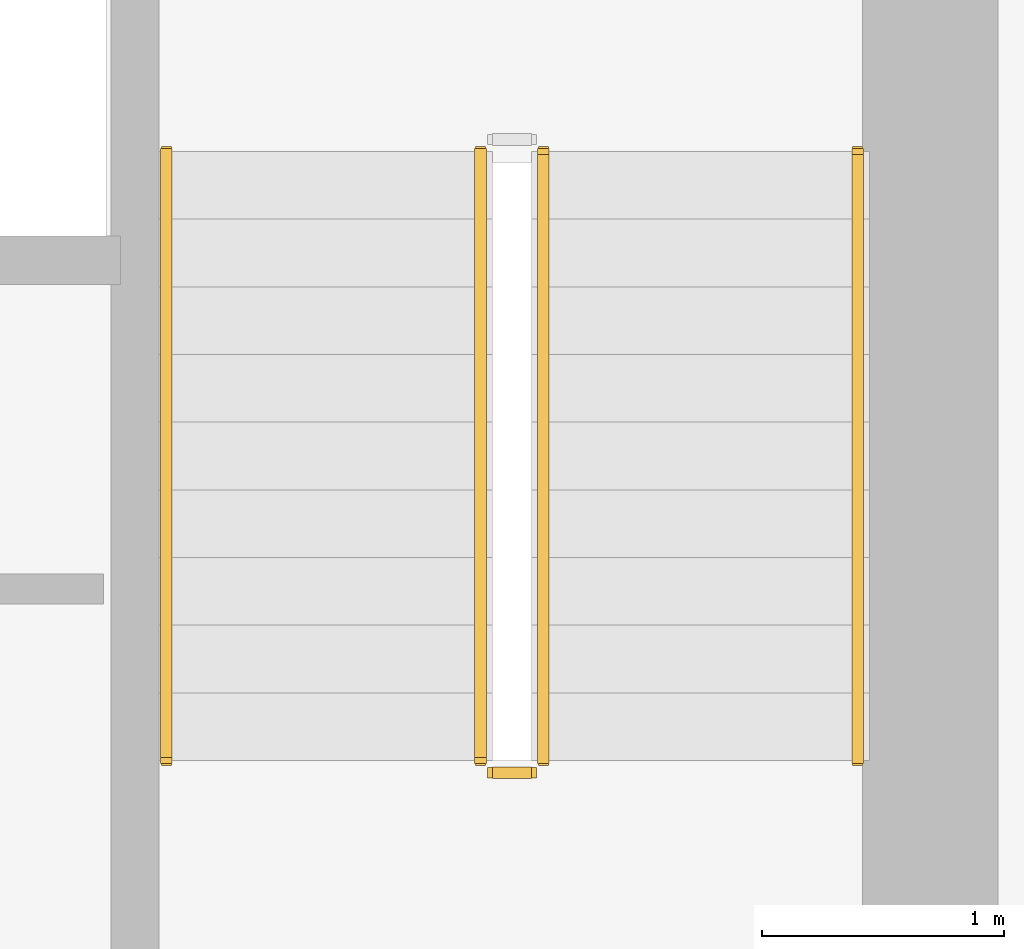
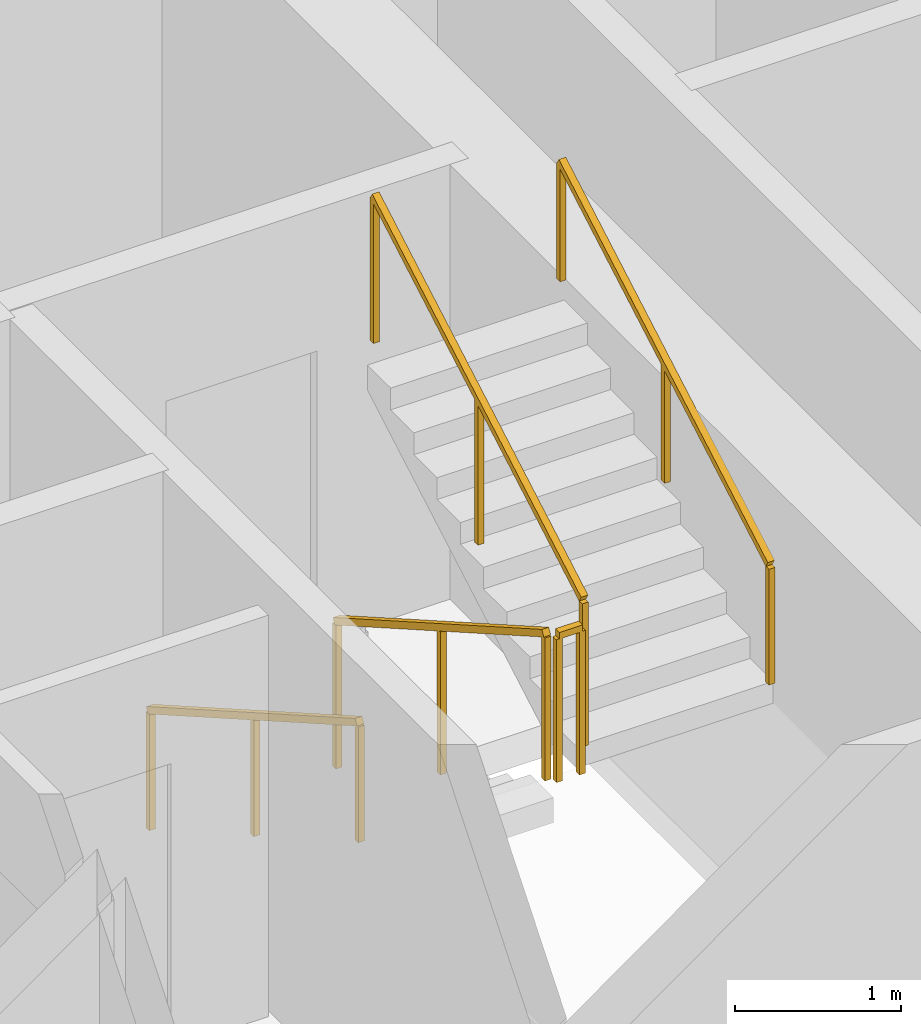
# One storey, part 11 of 13: 5 railings.
"""IFC4 building model written with IfcOpenShell, lengths in metres."""

from ifc_helpers import new_model, si_unit, direction, frame, origin, origin_2d, place, context, subcontext, project, spatial, rectangle, extrude, material, type_object, element, save


model = new_model("IFC4")

# Units and contexts
model_context = context("Model", 3, precision=1e-05, world=origin(), true_north=direction((0.0, 1.0)))
body_context = subcontext(model_context, "Body", "Model", "MODEL_VIEW")
ifc_project = project(units=[si_unit("LENGTHUNIT", "METRE"), si_unit("AREAUNIT", "SQUARE_METRE"), si_unit("VOLUMEUNIT", "CUBIC_METRE"), si_unit("PLANEANGLEUNIT", "RADIAN"), si_unit("MASSUNIT", "GRAM", prefix="KILO")], contexts=[model_context])

# Site, building, storey
site_placement = place(None, origin())
site = spatial("IfcSite", under=ifc_project, at=site_placement, CompositionType="ELEMENT")
building_placement = place(site_placement, origin())
building = spatial("IfcBuilding", under=site, at=building_placement, Name="Veldorim Arch Residences", CompositionType="ELEMENT")
storey_placement = place(building_placement, frame((0.0, 0.0, 120.159912109375)))
storey = spatial("IfcBuildingStorey", under=building, at=storey_placement, Name="L35", CompositionType="ELEMENT", Elevation=120.159912109375)

# Railings
ifc_material_1 = material(Name="Steel S355", Category="steel")
railing_type_1 = type_object("IfcRailingType", Name="Galvanised Steel Stair Safety Guardrail 1100", PredefinedType="GUARDRAIL", material=ifc_material_1)
railing_1_placement = place(storey_placement, frame((35.639892578125, 25.85009765625, 0.16015625)))
element("IfcRailing", 1, at=railing_1_placement, inside=storey, type_object=railing_type_1, Name="L35 ST-2 stair guard 1", PredefinedType="GUARDRAIL", context=body_context, shape_type="SweptSolid", body=[
    extrude(rectangle(XDim=0.048095703125, YDim=0.048095703125, at=origin_2d()), frame((0.0, 0.0, 1.076171875), z_axis=(0.0, -0.868253494771, 0.496120820787), x_axis=(1.0, 0.0, 0.0)), (0.0, 0.0, 1.0), 2.90234375),
    extrude(rectangle(XDim=0.0419921875, YDim=0.0419921875, at=origin_2d()), origin(), (0.0, 0.0, 1.0), 1.052001953125),
    extrude(rectangle(XDim=0.0419921875, YDim=0.0419921875, at=origin_2d()), frame((0.0, -1.260009765625, 0.719970703125)), (0.0, 0.0, 1.0), 1.052001953125),
    extrude(rectangle(XDim=0.0419921875, YDim=0.0419921875, at=origin_2d()), frame((0.0, -2.52001953125, 1.43994140625)), (0.0, 0.0, 1.0), 1.052001953125),
])
railing_2_placement = place(storey_placement, frame((35.68994140625, 23.280029296875, 1.60009765625)))
element("IfcRailing", 2, at=railing_2_placement, inside=storey, type_object=railing_type_1, Name="L35 ST-2 stair guard 2", PredefinedType="GUARDRAIL", context=body_context, shape_type="SweptSolid", body=[
    extrude(rectangle(XDim=0.048095703125, YDim=0.048095703125, at=origin_2d()), frame((0.0, 0.0, 1.076171875), z_axis=(1.0, 0.0, 0.0), x_axis=(0.0, 1.0, 0.0)), (0.0, 0.0, 1.0), 0.16015625),
    extrude(rectangle(XDim=0.0419921875, YDim=0.0419921875, at=origin_2d()), origin(), (0.0, 0.0, 1.0), 1.052001953125),
    extrude(rectangle(XDim=0.0419921875, YDim=0.0419921875, at=origin_2d()), frame((0.16015625, 0.0, 0.0)), (0.0, 0.0, 1.0), 1.052001953125),
])
railing_3_placement = place(storey_placement, frame((35.89990234375, 23.330078125, 1.760009765625)))
element("IfcRailing", 3, at=railing_3_placement, inside=storey, type_object=railing_type_1, Name="L35 ST-2 stair guard 3", PredefinedType="GUARDRAIL", context=body_context, shape_type="SweptSolid", body=[
    extrude(rectangle(XDim=0.048095703125, YDim=0.048095703125, at=origin_2d()), frame((0.0, 0.0, 1.076171875), z_axis=(0.0, 0.868217259934, 0.496184229447), x_axis=(-1.0, 0.0, 0.0)), (0.0, 0.0, 1.0), 2.902587890625),
    extrude(rectangle(XDim=0.0419921875, YDim=0.0419921875, at=origin_2d()), origin(), (0.0, 0.0, 1.0), 1.052001953125),
    extrude(rectangle(XDim=0.0419921875, YDim=0.0419921875, at=origin_2d()), frame((0.0, 1.260009765625, 0.72021484375)), (0.0, 0.0, 1.0), 1.052001953125),
    extrude(rectangle(XDim=0.0419921875, YDim=0.0419921875, at=origin_2d()), frame((0.0, 2.52001953125, 1.440185546875)), (0.0, 0.0, 1.0), 1.052001953125),
])
ifc_material_2 = material(Name="Stainless Steel", Category="steel")
railing_type_2 = type_object("IfcRailingType", Name="Tubular Steel Continuous Wall Handrail 900", PredefinedType="HANDRAIL", material=ifc_material_2)
railing_4_placement = place(storey_placement, frame((34.340087890625, 25.85009765625, 0.16015625)))
element("IfcRailing", 4, at=railing_4_placement, inside=storey, type_object=railing_type_2, Name="L35 ST-2 stair handrail 1", PredefinedType="HANDRAIL", context=body_context, shape_type="SweptSolid", body=[
    extrude(rectangle(XDim=0.048095703125, YDim=0.048095703125, at=origin_2d()), frame((0.0, 0.0, 0.8759765625), z_axis=(0.0, -0.868253494771, 0.496120820787), x_axis=(1.0, 0.0, 0.0)), (0.0, 0.0, 1.0), 2.90234375),
    extrude(rectangle(XDim=0.0419921875, YDim=0.0419921875, at=origin_2d()), origin(), (0.0, 0.0, 1.0), 0.851806640625),
    extrude(rectangle(XDim=0.0419921875, YDim=0.0419921875, at=origin_2d()), frame((0.0, -1.260009765625, 0.719970703125)), (0.0, 0.0, 1.0), 0.851806640625),
    extrude(rectangle(XDim=0.0419921875, YDim=0.0419921875, at=origin_2d()), frame((0.0, -2.52001953125, 1.43994140625)), (0.0, 0.0, 1.0), 0.851806640625),
])
railing_5_placement = place(storey_placement, frame((37.199951171875, 23.330078125, 1.760009765625)))
element("IfcRailing", 5, at=railing_5_placement, inside=storey, type_object=railing_type_2, Name="L35 ST-2 stair handrail 2", PredefinedType="HANDRAIL", context=body_context, shape_type="SweptSolid", body=[
    extrude(rectangle(XDim=0.048095703125, YDim=0.048095703125, at=origin_2d()), frame((0.0, 0.0, 0.8759765625), z_axis=(0.0, 0.868217259934, 0.496184229447), x_axis=(-1.0, 0.0, 0.0)), (0.0, 0.0, 1.0), 2.902587890625),
    extrude(rectangle(XDim=0.0419921875, YDim=0.0419921875, at=origin_2d()), origin(), (0.0, 0.0, 1.0), 0.851806640625),
    extrude(rectangle(XDim=0.0419921875, YDim=0.0419921875, at=origin_2d()), frame((0.0, 1.260009765625, 0.72021484375)), (0.0, 0.0, 1.0), 0.851806640625),
    extrude(rectangle(XDim=0.0419921875, YDim=0.0419921875, at=origin_2d()), frame((0.0, 2.52001953125, 1.440185546875)), (0.0, 0.0, 1.0), 0.851806640625),
])

save(model, "model.ifc")
